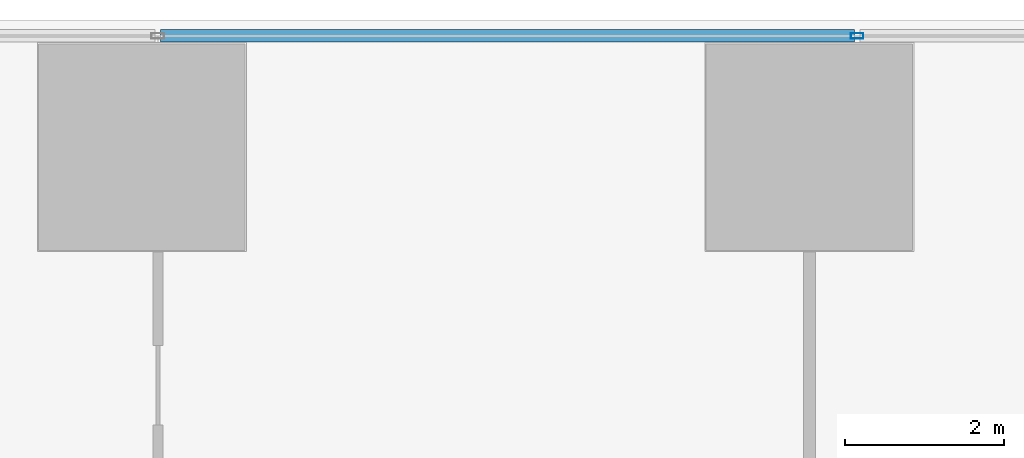
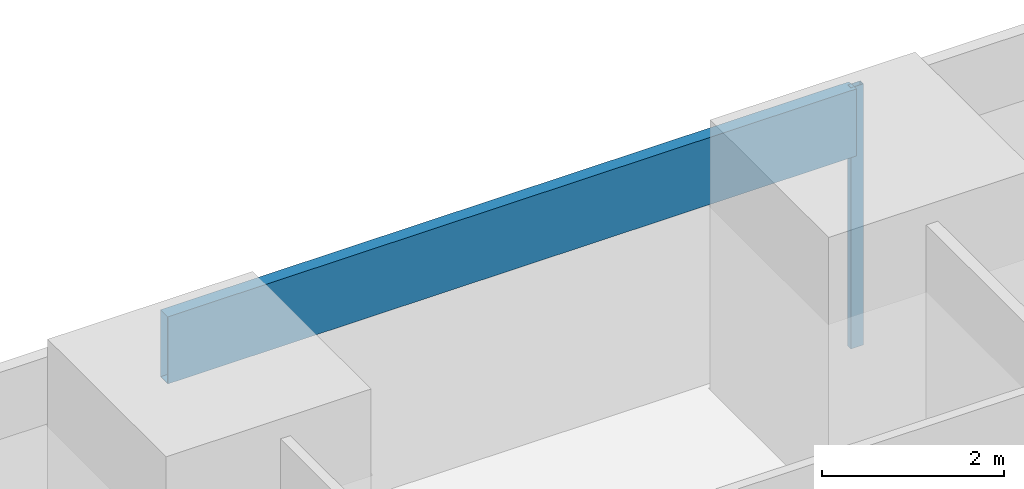
# One storey, part 12 of 35: 2 members, 1 element without a shape of its own.
"""IFC4 building model written with IfcOpenShell, lengths in metres."""

from ifc_helpers import new_model, si_unit, direction, frame, origin, origin_2d, place, context, subcontext, project, spatial, hollow_rectangle, extrude, material, material_profile, profile_set, type_object, element, aggregate, save


model = new_model("IFC4")

# Units and contexts
model_context = context("Model", 3, precision=1e-05, world=origin(), true_north=direction((0.0, 1.0)))
body_context = subcontext(model_context, "Body", "Model", "MODEL_VIEW")
ifc_project = project(units=[si_unit("LENGTHUNIT", "METRE"), si_unit("AREAUNIT", "SQUARE_METRE"), si_unit("VOLUMEUNIT", "CUBIC_METRE"), si_unit("PLANEANGLEUNIT", "RADIAN"), si_unit("MASSUNIT", "GRAM", prefix="KILO")], contexts=[model_context])

# Site, building, storey
site_placement = place(None, origin())
site = spatial("IfcSite", under=ifc_project, at=site_placement, CompositionType="ELEMENT")
building_placement = place(site_placement, origin())
building = spatial("IfcBuilding", under=site, at=building_placement, Name="Rekha Terrace Tower", CompositionType="ELEMENT")
storey_placement = place(building_placement, frame((0.0, 0.0, 25.39990234375)))
storey = spatial("IfcBuildingStorey", under=building, at=storey_placement, Name="L05", CompositionType="ELEMENT", Elevation=25.39990234375)

# Curtain wall, members
ifc_material_1 = material(Name="Aluminium framing", Category="aluminium")
curtain_wall_type = type_object("IfcCurtainWallType", Name="CW3 north unitised glazing", PredefinedType="USERDEFINED", material=ifc_material_1)
curtain_wall_placement = place(storey_placement, origin())
curtain_wall = element("IfcCurtainWall", 1, at=curtain_wall_placement, inside=storey, type_object=curtain_wall_type, Name="CW3 unitised curtain wall", ObjectType="UNITISED CURTAIN WALL", PredefinedType="USERDEFINED")
ifc_material_2 = material(Name="Aluminium mullion section", Category="aluminium")
ifc_material_profile_1 = material_profile(ifc_material_2, hollow_rectangle(XDim=0.070068359375, YDim=0.159912109375, WallThickness=0.00390625, at=origin_2d()), Name="AL RHS 70x160")
ifc_profile_set_1 = profile_set([ifc_material_profile_1], Name="Aluminium mullion section")
member_type_1 = type_object("IfcMemberType", Name="CW3 mullion RHS 70 x 160", PredefinedType="MULLION", material=ifc_profile_set_1)
member_1_placement = place(storey_placement, frame((51.0, 60.199951171875, 0.0), z_axis=(0.0, 0.0, 1.0), x_axis=(0.0, -1.0, 0.0)))
member_1 = element("IfcMember", 2, at=member_1_placement, type_object=member_type_1, Name="CW3 mullion 3", PredefinedType="MULLION", context=body_context, shape_type="SweptSolid", body=[
    extrude(hollow_rectangle(XDim=0.070068359375, YDim=0.159912109375, WallThickness=0.00390625, at=origin_2d()), origin(), (0.0, 0.0, 1.0), 3.5),
])
ifc_material_3 = material(Name="Insulated aluminium spandrel box", Category="aluminium")
ifc_material_profile_2 = material_profile(ifc_material_3, hollow_rectangle(XDim=0.159912109375, YDim=0.89990234375, WallThickness=0.0029296875, at=origin_2d()), Name="AL SPANDREL BOX 160x900")
ifc_profile_set_2 = profile_set([ifc_material_profile_2], Name="Insulated aluminium spandrel box")
member_type_2 = type_object("IfcMemberType", Name="CW3 spandrel transom 160 x 900", PredefinedType="USERDEFINED", material=ifc_profile_set_2)
member_2_placement = place(storey_placement, frame((50.965087890625, 60.199951171875, 3.050048828125), z_axis=(-1.0, 0.0, 0.0), x_axis=(0.0, -1.0, 0.0)))
member_2 = element("IfcMember", 3, at=member_2_placement, type_object=member_type_2, Name="CW3 spandrel transom 3", ObjectType="TRANSOM", PredefinedType="USERDEFINED", context=body_context, shape_type="SweptSolid", body=[
    extrude(hollow_rectangle(XDim=0.159912109375, YDim=0.89990234375, WallThickness=0.0029296875, at=origin_2d()), origin(), (0.0, 0.0, 1.0), 8.72998046875),
])
aggregate(curtain_wall, [member_1, member_2])

save(model, "model.ifc")
